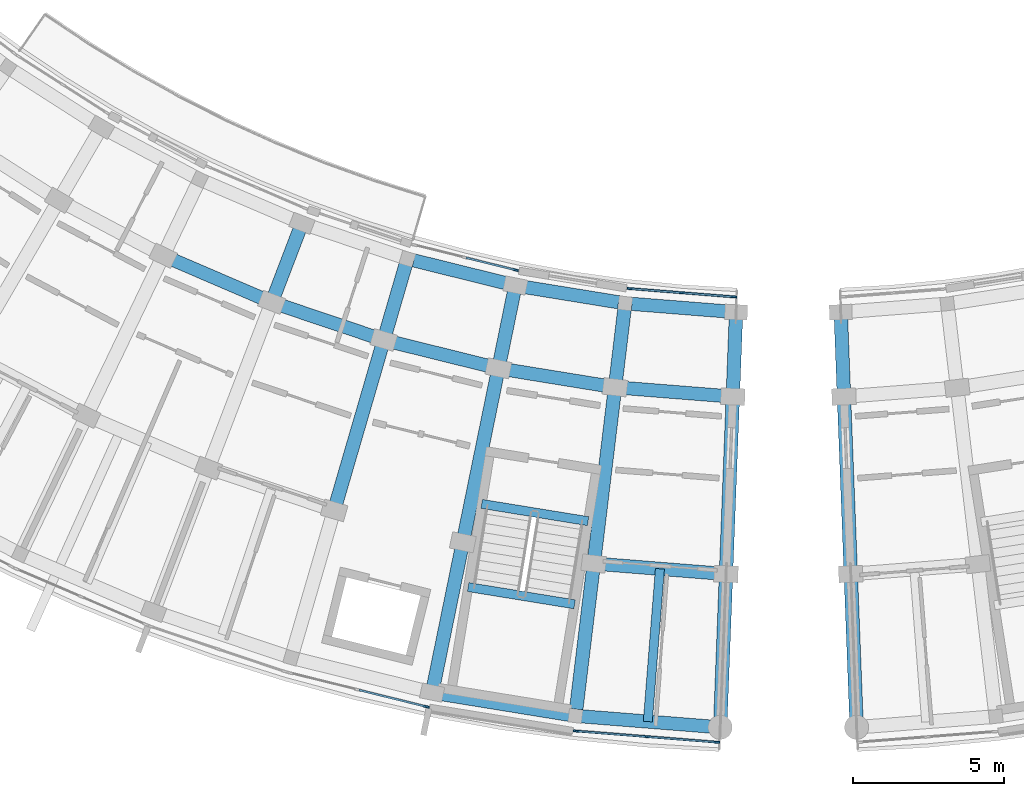
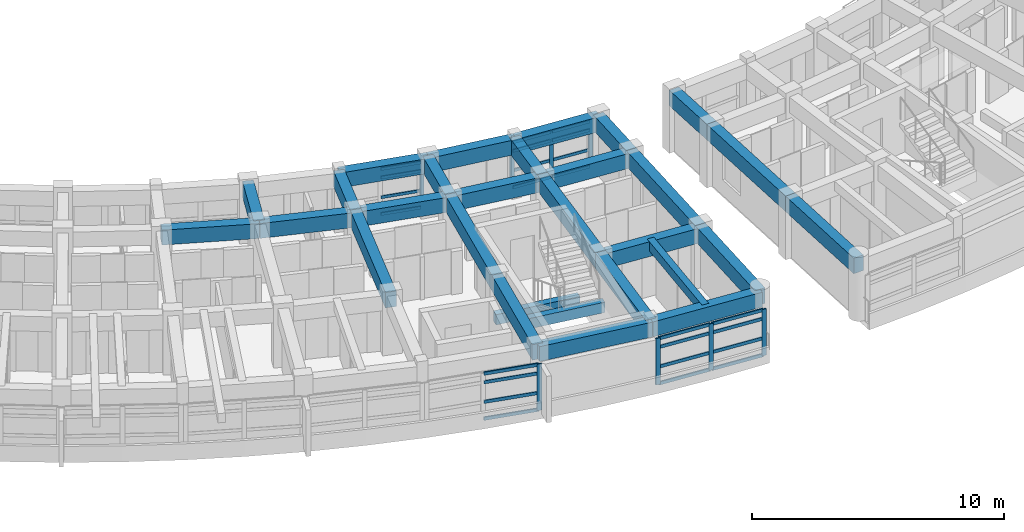
# One storey, part 12 of 56: 32 members, 29 beams, 4 elements without a shape of their own.
"""IFC4 building model written with IfcOpenShell, lengths in metres."""

from ifc_helpers import new_model, si_unit, direction, frame, origin, origin_2d, place, context, subcontext, project, spatial, rectangle, extrude, material, material_profile, profile_set, type_object, element, aggregate, save


model = new_model("IFC4")

# Units and contexts
model_context = context("Model", 3, precision=1e-05, world=origin(), true_north=direction((0.0, 1.0)))
body_context = subcontext(model_context, "Body", "Model", "MODEL_VIEW")
ifc_project = project(units=[si_unit("LENGTHUNIT", "METRE"), si_unit("AREAUNIT", "SQUARE_METRE"), si_unit("VOLUMEUNIT", "CUBIC_METRE"), si_unit("PLANEANGLEUNIT", "RADIAN"), si_unit("MASSUNIT", "GRAM", prefix="KILO")], contexts=[model_context])

# Site, building, storey
site_placement = place(None, origin())
site = spatial("IfcSite", under=ifc_project, at=site_placement, CompositionType="ELEMENT")
building_placement = place(site_placement, origin())
building = spatial("IfcBuilding", under=site, at=building_placement, Name="Zimvara Arc Housing Community", CompositionType="ELEMENT")
storey_placement = place(building_placement, frame((0.0, 0.0, 11.199951171875)))
storey = spatial("IfcBuildingStorey", under=building, at=storey_placement, Name="L03", CompositionType="ELEMENT", Elevation=11.199951171875)

# Beams
ifc_material_1 = material(Name="Concrete C40/50", Category="concrete")
ifc_material_profile_1 = material_profile(ifc_material_1, rectangle(XDim=0.300048828125, YDim=0.449951171875, at=origin_2d()), Name="RC 300x450")
ifc_profile_set_1 = profile_set([ifc_material_profile_1], Name="Concrete C40/50")
beam_type_1 = type_object("IfcBeamType", Name="BM-RC-300x450", PredefinedType="JOIST", material=ifc_profile_set_1)
beam_1_placement = place(storey_placement, frame((121.72509765625, 56.2734375, 2.635009765625), z_axis=(-0.079171686291, -0.99686099537, 0.0), x_axis=(0.99686099537, -0.079171686291, 0.0)))
element("IfcBeam", 1, at=beam_1_placement, inside=storey, type_object=beam_type_1, Name="bm:blkC:L03:joist:b9", PredefinedType="JOIST", context=body_context, shape_type="SweptSolid", body=[
    extrude(rectangle(XDim=0.300048828125, YDim=0.449951171875, at=origin_2d()), origin(), (0.0, 0.0, 1.0), 5.07568359375),
])
ifc_material_2 = material(Name="Concrete C40/50", Category="concrete")
ifc_material_profile_2 = material_profile(ifc_material_2, rectangle(XDim=0.300048828125, YDim=0.5, at=origin_2d()), Name="RC 300x500")
ifc_profile_set_2 = profile_set([ifc_material_profile_2], Name="Concrete C40/50")
beam_type_2 = type_object("IfcBeamType", Name="BM-RC-300x500", PredefinedType="BEAM", material=ifc_profile_set_2)
for number, where, z_axis, x_axis, name in (
    (2, (115.822265625, 58.423095703125, -0.25), (0.987080057935, -0.160227835371, 0.0), (0.160227835371, 0.987080057935, 0.0), "bm:stair_trim:ST-C2:L03:near"),
    (3, (115.375244140625, 55.6689453125, 1.300048828125), (0.987080057935, -0.160227835371, 0.0), (0.160227835371, 0.987080057935, 0.0), "bm:stair_trim:ST-C2:L03:mid"),
):
    element("IfcBeam", number, at=place(storey_placement, frame(where, z_axis=z_axis, x_axis=x_axis)), inside=storey, type_object=beam_type_2, Name=name, PredefinedType="BEAM", context=body_context, shape_type="SweptSolid", body=[
        extrude(rectangle(XDim=0.300048828125, YDim=0.5, at=origin_2d()), origin(), (0.0, 0.0, 1.0), 3.570068359375),
    ])
ifc_material_3 = material(Name="Concrete C40/50", Category="concrete")
ifc_material_profile_3 = material_profile(ifc_material_3, rectangle(XDim=0.43994140625, YDim=0.719970703125, at=origin_2d()), Name="RC 440x720")
ifc_profile_set_3 = profile_set([ifc_material_profile_3], Name="Concrete C40/50")
beam_type_3 = type_object("IfcBeamType", Name="BM-RC-440x720", PredefinedType="BEAM", material=ifc_profile_set_3)
beam_2_placement = place(storey_placement, frame((113.361572265625, 66.540283203125, 2.5), z_axis=(0.970724337693, -0.240196295163, 0.0), x_axis=(0.240196295163, 0.970724337693, 0.0)))
element("IfcBeam", 4, at=beam_2_placement, inside=storey, type_object=beam_type_3, Name="bm:blkC:L03:chord:r0:b7", PredefinedType="BEAM", context=body_context, shape_type="SweptSolid", body=[
    extrude(rectangle(XDim=0.43994140625, YDim=0.719970703125, at=origin_2d()), origin(), (0.0, 0.0, 1.0), 3.6845703125),
])
beam_3_placement = place(storey_placement, frame((116.938232421875, 65.6552734375, 2.5), z_axis=(0.987079996944, -0.160228211104, 0.0), x_axis=(0.160228211104, 0.987079996944, 0.0)))
element("IfcBeam", 5, at=beam_3_placement, inside=storey, type_object=beam_type_3, Name="bm:blkC:L03:chord:r0:b8", PredefinedType="BEAM", context=body_context, shape_type="SweptSolid", body=[
    extrude(rectangle(XDim=0.43994140625, YDim=0.719970703125, at=origin_2d()), origin(), (0.0, 0.0, 1.0), 3.684326171875),
])
beam_4_placement = place(storey_placement, frame((120.574951171875, 65.06494140625, 2.5), z_axis=(0.996860413745, -0.079179009267, 0.0), x_axis=(0.079179009267, 0.996860413745, 0.0)))
element("IfcBeam", 6, at=beam_4_placement, inside=storey, type_object=beam_type_3, Name="bm:blkC:L03:chord:r0:b9", PredefinedType="BEAM", context=body_context, shape_type="SweptSolid", body=[
    extrude(rectangle(XDim=0.43994140625, YDim=0.719970703125, at=origin_2d()), origin(), (0.0, 0.0, 1.0), 3.6845703125),
])
for number, where, z_axis, x_axis, name in (
    (7, (105.2744140625, 66.644287109375, 2.5), (0.918708805961, -0.394935602155, 0.0), (0.394935602155, 0.918708805961, 0.0), "bm:blkC:L03:chord:r1:b5"),
    (8, (108.869384765625, 65.098876953125, 2.5), (0.947881689069, -0.31862250945, 0.0), (0.31862250945, 0.947881689069, 0.0), "bm:blkC:L03:chord:r1:b6"),
    (9, (112.57861328125, 63.85205078125, 2.5), (0.970723220586, -0.240200809773, 0.0), (0.240200809773, 0.970723220586, 0.0), "bm:blkC:L03:chord:r1:b7"),
    (10, (116.377197265625, 62.912109375, 2.5), (0.987081487371, -0.160219029111, 0.0), (0.160219029111, 0.987081487371, 0.0), "bm:blkC:L03:chord:r1:b8"),
):
    element("IfcBeam", number, at=place(storey_placement, frame(where, z_axis=z_axis, x_axis=x_axis)), inside=storey, type_object=beam_type_3, Name=name, PredefinedType="BEAM", context=body_context, shape_type="SweptSolid", body=[
        extrude(rectangle(XDim=0.43994140625, YDim=0.719970703125, at=origin_2d()), origin(), (0.0, 0.0, 1.0), 3.9130859375),
    ])
beam_5_placement = place(storey_placement, frame((120.23974609375, 62.28515625, 2.5), z_axis=(0.99686054795, -0.079177319606, 0.0), x_axis=(0.079177319606, 0.99686054795, 0.0)))
element("IfcBeam", 11, at=beam_5_placement, inside=storey, type_object=beam_type_3, Name="bm:blkC:L03:chord:r1:b9", PredefinedType="BEAM", context=body_context, shape_type="SweptSolid", body=[
    extrude(rectangle(XDim=0.43994140625, YDim=0.719970703125, at=origin_2d()), origin(), (0.0, 0.0, 1.0), 3.912841796875),
])
beam_6_placement = place(storey_placement, frame((119.535400390625, 56.447509765625, 2.5), z_axis=(0.996859476344, -0.079190810224, 0.0), x_axis=(0.079190810224, 0.996859476344, 0.0)))
element("IfcBeam", 12, at=beam_6_placement, inside=storey, type_object=beam_type_3, Name="bm:blkC:L03:chord:r2:b9", PredefinedType="BEAM", context=body_context, shape_type="SweptSolid", body=[
    extrude(rectangle(XDim=0.43994140625, YDim=0.719970703125, at=origin_2d()), origin(), (0.0, 0.0, 1.0), 4.393310546875),
])
beam_7_placement = place(storey_placement, frame((114.180908203125, 52.17431640625, 2.5), z_axis=(0.987083566885, -0.160206217065, 0.0), x_axis=(0.160206217065, 0.987083566885, 0.0)))
element("IfcBeam", 13, at=beam_7_placement, inside=storey, type_object=beam_type_3, Name="bm:blkC:L03:chord:r3:b8", PredefinedType="BEAM", context=body_context, shape_type="SweptSolid", body=[
    extrude(rectangle(XDim=0.43994140625, YDim=0.719970703125, at=origin_2d()), origin(), (0.0, 0.0, 1.0), 4.807861328125),
])
beam_8_placement = place(storey_placement, frame((118.9267578125, 51.404052734375, 2.5), z_axis=(0.996861768207, -0.0791619548, 0.0), x_axis=(0.0791619548, 0.996861768207, 0.0)))
element("IfcBeam", 14, at=beam_8_placement, inside=storey, type_object=beam_type_3, Name="bm:blkC:L03:chord:r3:b9", PredefinedType="BEAM", context=body_context, shape_type="SweptSolid", body=[
    extrude(rectangle(XDim=0.43994140625, YDim=0.719970703125, at=origin_2d()), origin(), (0.0, 0.0, 1.0), 4.80810546875),
])
ifc_material_4 = material(Name="Concrete C40/50", Category="concrete")
ifc_material_profile_4 = material_profile(ifc_material_4, rectangle(XDim=0.449951171875, YDim=0.75, at=origin_2d()), Name="RC 450x750")
ifc_profile_set_4 = profile_set([ifc_material_profile_4], Name="Concrete C40/50")
beam_type_4 = type_object("IfcBeamType", Name="BM-RC-450x750", PredefinedType="BEAM", material=ifc_profile_set_4)
for number, where, z_axis, x_axis, name in (
    (15, (109.869384765625, 67.71435546875, 2.485107421875), (-0.357126279724, -0.934056111982, 0.0), (0.934056111982, -0.357126279724, 0.0), "bm:blkC:L03:rad:b6:r01"),
    (16, (113.361572265625, 66.540283203125, 2.485107421875), (-0.279635015525, -0.960106378529, 0.0), (0.960106378529, -0.279635015525, 0.0), "bm:blkC:L03:rad:b7:r01"),
):
    element("IfcBeam", number, at=place(storey_placement, frame(where, z_axis=z_axis, x_axis=x_axis)), inside=storey, type_object=beam_type_4, Name=name, PredefinedType="BEAM", context=body_context, shape_type="SweptSolid", body=[
        extrude(rectangle(XDim=0.449951171875, YDim=0.75, at=origin_2d()), origin(), (0.0, 0.0, 1.0), 2.800048828125),
    ])
beam_9_placement = place(storey_placement, frame((112.57861328125, 63.85205078125, 2.485107421875), z_axis=(-0.27964761269, -0.960102709462, 0.0), x_axis=(0.960102709462, -0.27964761269, 0.0)))
element("IfcBeam", 17, at=beam_9_placement, inside=storey, type_object=beam_type_4, Name="bm:blkC:L03:rad:b7:r12", PredefinedType="BEAM", context=body_context, shape_type="SweptSolid", body=[
    extrude(rectangle(XDim=0.449951171875, YDim=0.75, at=origin_2d()), origin(), (0.0, 0.0, 1.0), 5.8798828125),
])
beam_10_placement = place(storey_placement, frame((116.938232421875, 65.6552734375, 2.485107421875), z_axis=(-0.20037341071, -0.979719600845, 0.0), x_axis=(0.979719600845, -0.20037341071, 0.0)))
element("IfcBeam", 18, at=beam_10_placement, inside=storey, type_object=beam_type_4, Name="bm:blkC:L03:rad:b8:r01", PredefinedType="BEAM", context=body_context, shape_type="SweptSolid", body=[
    extrude(rectangle(XDim=0.449951171875, YDim=0.75, at=origin_2d()), origin(), (0.0, 0.0, 1.0), 2.800048828125),
])
beam_11_placement = place(storey_placement, frame((116.377197265625, 62.912109375, 2.485107421875), z_axis=(-0.200417973989, -0.979710485655, 0.0), x_axis=(0.979710485655, -0.200417973989, 0.0)))
element("IfcBeam", 19, at=beam_11_placement, inside=storey, type_object=beam_type_4, Name="bm:blkC:L03:rad:b8:r12", PredefinedType="BEAM", context=body_context, shape_type="SweptSolid", body=[
    extrude(rectangle(XDim=0.449951171875, YDim=0.75, at=origin_2d()), origin(), (0.0, 0.0, 1.0), 5.880126953125),
])
beam_12_placement = place(storey_placement, frame((115.19873046875, 57.1513671875, 2.485107421875), z_axis=(-0.200356397601, -0.979723080233, 0.0), x_axis=(0.979723080233, -0.200356397601, 0.0)))
element("IfcBeam", 20, at=beam_12_placement, inside=storey, type_object=beam_type_4, Name="bm:blkC:L03:rad:b8:r23", PredefinedType="BEAM", context=body_context, shape_type="SweptSolid", body=[
    extrude(rectangle(XDim=0.449951171875, YDim=0.75, at=origin_2d()), origin(), (0.0, 0.0, 1.0), 5.080078125),
])
beam_13_placement = place(storey_placement, frame((120.574951171875, 65.06494140625, 2.485107421875), z_axis=(-0.119719398078, -0.992807768767, 0.0), x_axis=(0.992807768767, -0.119719398078, 0.0)))
element("IfcBeam", 21, at=beam_13_placement, inside=storey, type_object=beam_type_4, Name="bm:blkC:L03:rad:b9:r01", PredefinedType="BEAM", context=body_context, shape_type="SweptSolid", body=[
    extrude(rectangle(XDim=0.449951171875, YDim=0.75, at=origin_2d()), origin(), (0.0, 0.0, 1.0), 2.7998046875),
])
beam_14_placement = place(storey_placement, frame((120.23974609375, 62.28515625, 2.485107421875), z_axis=(-0.119786997154, -0.992799614884, 0.0), x_axis=(0.992799614884, -0.119786997154, 0.0)))
element("IfcBeam", 22, at=beam_14_placement, inside=storey, type_object=beam_type_4, Name="bm:blkC:L03:rad:b9:r12", PredefinedType="BEAM", context=body_context, shape_type="SweptSolid", body=[
    extrude(rectangle(XDim=0.449951171875, YDim=0.75, at=origin_2d()), origin(), (0.0, 0.0, 1.0), 5.8798828125),
])
beam_15_placement = place(storey_placement, frame((119.535400390625, 56.447509765625, 2.485107421875), z_axis=(-0.119810359757, -0.992796795772, 0.0), x_axis=(0.992796795772, -0.119810359757, 0.0)))
element("IfcBeam", 23, at=beam_15_placement, inside=storey, type_object=beam_type_4, Name="bm:blkC:L03:rad:b9:r23", PredefinedType="BEAM", context=body_context, shape_type="SweptSolid", body=[
    extrude(rectangle(XDim=0.449951171875, YDim=0.75, at=origin_2d()), origin(), (0.0, 0.0, 1.0), 5.080078125),
])
beam_16_placement = place(storey_placement, frame((124.248046875, 64.773193359375, 2.485107421875), z_axis=(-0.038453214409, -0.999260401648, 0.0), x_axis=(0.999260401648, -0.038453214409, 0.0)))
element("IfcBeam", 24, at=beam_16_placement, inside=storey, type_object=beam_type_4, Name="bm:blkC:L03:rad:b10:r01", PredefinedType="BEAM", context=body_context, shape_type="SweptSolid", body=[
    extrude(rectangle(XDim=0.449951171875, YDim=0.75, at=origin_2d()), origin(), (0.0, 0.0, 1.0), 2.7998046875),
])
beam_17_placement = place(storey_placement, frame((124.140380859375, 61.975341796875, 2.485107421875), z_axis=(-0.038364555613, -0.999263809448, 0.0), x_axis=(0.999263809448, -0.038364555613, 0.0)))
element("IfcBeam", 25, at=beam_17_placement, inside=storey, type_object=beam_type_4, Name="bm:blkC:L03:rad:b10:r12", PredefinedType="BEAM", context=body_context, shape_type="SweptSolid", body=[
    extrude(rectangle(XDim=0.449951171875, YDim=0.75, at=origin_2d()), origin(), (0.0, 0.0, 1.0), 5.880126953125),
])
beam_18_placement = place(storey_placement, frame((123.914794921875, 56.099609375, 2.485107421875), z_axis=(-0.038399898954, -0.999262451892, 0.0), x_axis=(0.999262451892, -0.038399898954, 0.0)))
element("IfcBeam", 26, at=beam_18_placement, inside=storey, type_object=beam_type_4, Name="bm:blkC:L03:rad:b10:r23", PredefinedType="BEAM", context=body_context, shape_type="SweptSolid", body=[
    extrude(rectangle(XDim=0.449951171875, YDim=0.75, at=origin_2d()), origin(), (0.0, 0.0, 1.0), 5.079833984375),
])
beam_19_placement = place(storey_placement, frame((127.712158203125, 64.773193359375, 2.485107421875), z_axis=(0.038366147405, -0.999263748333, 0.0), x_axis=(0.999263748333, 0.038366147405, 0.0)))
element("IfcBeam", 27, at=beam_19_placement, inside=storey, type_object=beam_type_4, Name="bm:blkD:L03:rad:b0:r01", PredefinedType="BEAM", context=body_context, shape_type="SweptSolid", body=[
    extrude(rectangle(XDim=0.449951171875, YDim=0.75, at=origin_2d()), origin(), (0.0, 0.0, 1.0), 2.7998046875),
])
beam_20_placement = place(storey_placement, frame((127.819580078125, 61.975341796875, 2.485107421875), z_axis=(0.038364555613, -0.999263809448, 0.0), x_axis=(0.999263809448, 0.038364555613, 0.0)))
element("IfcBeam", 28, at=beam_20_placement, inside=storey, type_object=beam_type_4, Name="bm:blkD:L03:rad:b0:r12", PredefinedType="BEAM", context=body_context, shape_type="SweptSolid", body=[
    extrude(rectangle(XDim=0.449951171875, YDim=0.75, at=origin_2d()), origin(), (0.0, 0.0, 1.0), 5.880126953125),
])
beam_21_placement = place(storey_placement, frame((128.045166015625, 56.099609375, 2.485107421875), z_axis=(0.038399898954, -0.999262451892, 0.0), x_axis=(0.999262451892, 0.038399898954, 0.0)))
element("IfcBeam", 29, at=beam_21_placement, inside=storey, type_object=beam_type_4, Name="bm:blkD:L03:rad:b0:r23", PredefinedType="BEAM", context=body_context, shape_type="SweptSolid", body=[
    extrude(rectangle(XDim=0.449951171875, YDim=0.75, at=origin_2d()), origin(), (0.0, 0.0, 1.0), 5.079833984375),
])

# Curtain wall, member
ifc_material_5 = material(Name="Anodised Aluminium AW-6063", Category="aluminium")
curtain_wall_type_1 = type_object("IfcCurtainWallType", Name="CW-SYS-06", PredefinedType="USERDEFINED", material=ifc_material_5)
curtain_wall_1_placement = place(storey_placement, origin())
curtain_wall_1 = element("IfcCurtainWall", 30, at=curtain_wall_1_placement, inside=storey, type_object=curtain_wall_type_1, Name="cw:blkC:L03:in:b7", ObjectType="CURTAIN WALL", PredefinedType="USERDEFINED")
ifc_material_6 = material(Name="Anodised Aluminium AW-6063", Category="aluminium")
ifc_material_profile_5 = material_profile(ifc_material_6, rectangle(XDim=0.06494140625, YDim=0.179931640625, at=origin_2d()), Name="ALU 65x180")
ifc_profile_set_5 = profile_set([ifc_material_profile_5], Name="Anodised Aluminium AW-6063")
member_type_1 = type_object("IfcMemberType", Name="CWM-65x150", PredefinedType="MULLION", material=ifc_profile_set_5)
member_1_placement = place(storey_placement, frame((116.94873046875, 66.167236328125, 0.0), z_axis=(0.0, 0.0, 1.0), x_axis=(0.240227815706, 0.970716537698, 0.0)))
member_1 = element("IfcMember", 31, at=member_1_placement, type_object=member_type_1, Name="CW06 mullion 3", PredefinedType="MULLION", context=body_context, shape_type="SweptSolid", body=[
    extrude(rectangle(XDim=0.06494140625, YDim=0.179931640625, at=origin_2d()), origin(), (0.0, 0.0, 1.0), 2.25),
])

# Curtain wall, members
ifc_material_7 = material(Name="Anodised Aluminium AW-6063", Category="aluminium")
curtain_wall_type_2 = type_object("IfcCurtainWallType", Name="CW-SYS-08", PredefinedType="USERDEFINED", material=ifc_material_7)
curtain_wall_2_placement = place(storey_placement, origin())
curtain_wall_2 = element("IfcCurtainWall", 32, at=curtain_wall_2_placement, inside=storey, type_object=curtain_wall_type_2, Name="cw:blkC:L03:in:b9", ObjectType="CURTAIN WALL", PredefinedType="USERDEFINED")
member_2_placement = place(storey_placement, frame((120.72705078125, 65.553955078125, 0.0), z_axis=(0.0, 0.0, 1.0), x_axis=(0.079154709897, 0.996862343506, 0.0)))
member_2 = element("IfcMember", 33, at=member_2_placement, type_object=member_type_1, Name="CW08 mullion 1", PredefinedType="MULLION", context=body_context, shape_type="SweptSolid", body=[
    extrude(rectangle(XDim=0.06494140625, YDim=0.179931640625, at=origin_2d()), origin(), (0.0, 0.0, 1.0), 2.25),
])
member_3_placement = place(storey_placement, frame((122.450927734375, 65.4169921875, 0.0), z_axis=(0.0, 0.0, 1.0), x_axis=(0.079154709897, 0.996862343506, 0.0)))
member_3 = element("IfcMember", 34, at=member_3_placement, type_object=member_type_1, Name="CW08 mullion 2", PredefinedType="MULLION", context=body_context, shape_type="SweptSolid", body=[
    extrude(rectangle(XDim=0.06494140625, YDim=0.179931640625, at=origin_2d()), origin(), (0.0, 0.0, 1.0), 2.25),
])
member_4_placement = place(storey_placement, frame((124.1748046875, 65.2802734375, 0.0), z_axis=(0.0, 0.0, 1.0), x_axis=(0.079154709897, 0.996862343506, 0.0)))
member_4 = element("IfcMember", 35, at=member_4_placement, type_object=member_type_1, Name="CW08 mullion 3", PredefinedType="MULLION", context=body_context, shape_type="SweptSolid", body=[
    extrude(rectangle(XDim=0.06494140625, YDim=0.179931640625, at=origin_2d()), origin(), (0.0, 0.0, 1.0), 2.25),
])

# Curtain wall, member
ifc_material_8 = material(Name="Anodised Aluminium AW-6063", Category="aluminium")
curtain_wall_type_3 = type_object("IfcCurtainWallType", Name="CW-SYS-05", PredefinedType="USERDEFINED", material=ifc_material_8)
curtain_wall_3_placement = place(storey_placement, origin())
curtain_wall_3 = element("IfcCurtainWall", 36, at=curtain_wall_3_placement, inside=storey, type_object=curtain_wall_type_3, Name="cw:blkC:L03:out:b7", ObjectType="CURTAIN WALL", PredefinedType="USERDEFINED")
ifc_material_9 = material(Name="Anodised Aluminium AW-6063", Category="aluminium")
ifc_material_profile_6 = material_profile(ifc_material_9, rectangle(XDim=0.06494140625, YDim=0.195068359375, at=origin_2d()), Name="ALU 65x195")
ifc_profile_set_6 = profile_set([ifc_material_profile_6], Name="Anodised Aluminium AW-6063")
member_type_2 = type_object("IfcMemberType", Name="CWM-65x180", PredefinedType="MULLION", material=ifc_profile_set_6)
member_5_placement = place(storey_placement, frame((113.99072265625, 51.706787109375, 0.0), z_axis=(0.0, 0.0, 1.0), x_axis=(0.240229711131, 0.970716068627, 0.0)))
member_5 = element("IfcMember", 37, at=member_5_placement, type_object=member_type_2, Name="CW05 mullion 3", PredefinedType="MULLION", context=body_context, shape_type="SweptSolid", body=[
    extrude(rectangle(XDim=0.06494140625, YDim=0.195068359375, at=origin_2d()), origin(), (0.0, 0.0, 1.0), 2.25),
])

# Curtain wall, members
ifc_material_10 = material(Name="Anodised Aluminium AW-6063", Category="aluminium")
curtain_wall_type_4 = type_object("IfcCurtainWallType", Name="CW-SYS-07", PredefinedType="USERDEFINED", material=ifc_material_10)
curtain_wall_4_placement = place(storey_placement, origin())
curtain_wall_4 = element("IfcCurtainWall", 38, at=curtain_wall_4_placement, inside=storey, type_object=curtain_wall_type_4, Name="cw:blkC:L03:out:b9", ObjectType="CURTAIN WALL", PredefinedType="USERDEFINED")
member_6_placement = place(storey_placement, frame((118.958984375, 50.900146484375, 0.0), z_axis=(0.0, 0.0, 1.0), x_axis=(0.079153759607, 0.996862418963, 0.0)))
member_6 = element("IfcMember", 39, at=member_6_placement, type_object=member_type_2, Name="CW07 mullion 1", PredefinedType="MULLION", context=body_context, shape_type="SweptSolid", body=[
    extrude(rectangle(XDim=0.06494140625, YDim=0.195068359375, at=origin_2d()), origin(), (0.0, 0.0, 1.0), 2.25),
])
member_7_placement = place(storey_placement, frame((121.28369140625, 50.715576171875, 0.0), z_axis=(0.0, 0.0, 1.0), x_axis=(0.079153759607, 0.996862418963, 0.0)))
member_7 = element("IfcMember", 40, at=member_7_placement, type_object=member_type_2, Name="CW07 mullion 2", PredefinedType="MULLION", context=body_context, shape_type="SweptSolid", body=[
    extrude(rectangle(XDim=0.06494140625, YDim=0.195068359375, at=origin_2d()), origin(), (0.0, 0.0, 1.0), 2.25),
])
member_8_placement = place(storey_placement, frame((123.6083984375, 50.531005859375, 0.0), z_axis=(0.0, 0.0, 1.0), x_axis=(0.079153759607, 0.996862418963, 0.0)))
member_8 = element("IfcMember", 41, at=member_8_placement, type_object=member_type_2, Name="CW07 mullion 3", PredefinedType="MULLION", context=body_context, shape_type="SweptSolid", body=[
    extrude(rectangle(XDim=0.06494140625, YDim=0.195068359375, at=origin_2d()), origin(), (0.0, 0.0, 1.0), 2.25),
])

# Member
ifc_material_11 = material(Name="Anodised Aluminium AW-6063", Category="aluminium")
ifc_material_profile_7 = material_profile(ifc_material_11, rectangle(XDim=0.06494140625, YDim=0.139892578125, at=origin_2d()), Name="ALU 65x140")
ifc_profile_set_7 = profile_set([ifc_material_profile_7], Name="Anodised Aluminium AW-6063")
member_type_3 = type_object("IfcMemberType", Name="CWT-65x120", PredefinedType="USERDEFINED", material=ifc_profile_set_7)
member_9_placement = place(storey_placement, frame((115.301513671875, 66.574951171875, 0.032470703125), z_axis=(0.970700809973, -0.24029135964, 0.0), x_axis=(0.24029135964, 0.970700809973, 0.0)))
member_9 = element("IfcMember", 42, at=member_9_placement, type_object=member_type_3, Name="CW06 transom 2.1", ObjectType="TRANSOM", PredefinedType="USERDEFINED", context=body_context, shape_type="SweptSolid", body=[
    extrude(rectangle(XDim=0.06494140625, YDim=0.139892578125, at=origin_2d()), origin(), (0.0, 0.0, 1.0), 1.664306640625),
])

member_10_placement = place(storey_placement, frame((115.301513671875, 66.574951171875, 0.85009765625), z_axis=(0.970700809973, -0.24029135964, 0.0), x_axis=(0.24029135964, 0.970700809973, 0.0)))
member_10 = element("IfcMember", 43, at=member_10_placement, type_object=member_type_3, Name="CW06 transom 2.2", ObjectType="TRANSOM", PredefinedType="USERDEFINED", context=body_context, shape_type="SweptSolid", body=[
    extrude(rectangle(XDim=0.06494140625, YDim=0.139892578125, at=origin_2d()), origin(), (0.0, 0.0, 1.0), 1.664306640625),
])

member_11_placement = place(storey_placement, frame((115.301513671875, 66.574951171875, 1.800048828125), z_axis=(0.970700809973, -0.24029135964, 0.0), x_axis=(0.24029135964, 0.970700809973, 0.0)))
member_11 = element("IfcMember", 44, at=member_11_placement, type_object=member_type_3, Name="CW06 transom 2.3", ObjectType="TRANSOM", PredefinedType="USERDEFINED", context=body_context, shape_type="SweptSolid", body=[
    extrude(rectangle(XDim=0.06494140625, YDim=0.139892578125, at=origin_2d()), origin(), (0.0, 0.0, 1.0), 1.664306640625),
])

member_12_placement = place(storey_placement, frame((115.301513671875, 66.574951171875, 2.217529296875), z_axis=(0.970700809973, -0.24029135964, 0.0), x_axis=(0.24029135964, 0.970700809973, 0.0)))
member_12 = element("IfcMember", 45, at=member_12_placement, type_object=member_type_3, Name="CW06 transom 2.4", ObjectType="TRANSOM", PredefinedType="USERDEFINED", context=body_context, shape_type="SweptSolid", body=[
    extrude(rectangle(XDim=0.06494140625, YDim=0.139892578125, at=origin_2d()), origin(), (0.0, 0.0, 1.0), 1.664306640625),
])

aggregate(curtain_wall_1, [member_1, member_9, member_10, member_11, member_12])

member_13_placement = place(storey_placement, frame((120.759521484375, 65.551513671875, 0.032470703125), z_axis=(0.99685804311, -0.079208849806, 0.0), x_axis=(0.079208849806, 0.99685804311, 0.0)))
member_13 = element("IfcMember", 46, at=member_13_placement, type_object=member_type_3, Name="CW08 transom 1.1", ObjectType="TRANSOM", PredefinedType="USERDEFINED", context=body_context, shape_type="SweptSolid", body=[
    extrude(rectangle(XDim=0.06494140625, YDim=0.139892578125, at=origin_2d()), origin(), (0.0, 0.0, 1.0), 1.664306640625),
])

member_14_placement = place(storey_placement, frame((120.759521484375, 65.551513671875, 0.85009765625), z_axis=(0.99685804311, -0.079208849806, 0.0), x_axis=(0.079208849806, 0.99685804311, 0.0)))
member_14 = element("IfcMember", 47, at=member_14_placement, type_object=member_type_3, Name="CW08 transom 1.2", ObjectType="TRANSOM", PredefinedType="USERDEFINED", context=body_context, shape_type="SweptSolid", body=[
    extrude(rectangle(XDim=0.06494140625, YDim=0.139892578125, at=origin_2d()), origin(), (0.0, 0.0, 1.0), 1.664306640625),
])

member_15_placement = place(storey_placement, frame((120.759521484375, 65.551513671875, 1.800048828125), z_axis=(0.99685804311, -0.079208849806, 0.0), x_axis=(0.079208849806, 0.99685804311, 0.0)))
member_15 = element("IfcMember", 48, at=member_15_placement, type_object=member_type_3, Name="CW08 transom 1.3", ObjectType="TRANSOM", PredefinedType="USERDEFINED", context=body_context, shape_type="SweptSolid", body=[
    extrude(rectangle(XDim=0.06494140625, YDim=0.139892578125, at=origin_2d()), origin(), (0.0, 0.0, 1.0), 1.664306640625),
])

member_16_placement = place(storey_placement, frame((120.759521484375, 65.551513671875, 2.217529296875), z_axis=(0.99685804311, -0.079208849806, 0.0), x_axis=(0.079208849806, 0.99685804311, 0.0)))
member_16 = element("IfcMember", 49, at=member_16_placement, type_object=member_type_3, Name="CW08 transom 1.4", ObjectType="TRANSOM", PredefinedType="USERDEFINED", context=body_context, shape_type="SweptSolid", body=[
    extrude(rectangle(XDim=0.06494140625, YDim=0.139892578125, at=origin_2d()), origin(), (0.0, 0.0, 1.0), 1.664306640625),
])

member_17_placement = place(storey_placement, frame((122.4833984375, 65.41455078125, 0.032470703125), z_axis=(0.99685804311, -0.079208849806, 0.0), x_axis=(0.079208849806, 0.99685804311, 0.0)))
member_17 = element("IfcMember", 50, at=member_17_placement, type_object=member_type_3, Name="CW08 transom 2.1", ObjectType="TRANSOM", PredefinedType="USERDEFINED", context=body_context, shape_type="SweptSolid", body=[
    extrude(rectangle(XDim=0.06494140625, YDim=0.139892578125, at=origin_2d()), origin(), (0.0, 0.0, 1.0), 1.664306640625),
])

member_18_placement = place(storey_placement, frame((122.4833984375, 65.41455078125, 0.85009765625), z_axis=(0.99685804311, -0.079208849806, 0.0), x_axis=(0.079208849806, 0.99685804311, 0.0)))
member_18 = element("IfcMember", 51, at=member_18_placement, type_object=member_type_3, Name="CW08 transom 2.2", ObjectType="TRANSOM", PredefinedType="USERDEFINED", context=body_context, shape_type="SweptSolid", body=[
    extrude(rectangle(XDim=0.06494140625, YDim=0.139892578125, at=origin_2d()), origin(), (0.0, 0.0, 1.0), 1.664306640625),
])

member_19_placement = place(storey_placement, frame((122.4833984375, 65.41455078125, 1.800048828125), z_axis=(0.99685804311, -0.079208849806, 0.0), x_axis=(0.079208849806, 0.99685804311, 0.0)))
member_19 = element("IfcMember", 52, at=member_19_placement, type_object=member_type_3, Name="CW08 transom 2.3", ObjectType="TRANSOM", PredefinedType="USERDEFINED", context=body_context, shape_type="SweptSolid", body=[
    extrude(rectangle(XDim=0.06494140625, YDim=0.139892578125, at=origin_2d()), origin(), (0.0, 0.0, 1.0), 1.664306640625),
])

member_20_placement = place(storey_placement, frame((122.4833984375, 65.41455078125, 2.217529296875), z_axis=(0.99685804311, -0.079208849806, 0.0), x_axis=(0.079208849806, 0.99685804311, 0.0)))
member_20 = element("IfcMember", 53, at=member_20_placement, type_object=member_type_3, Name="CW08 transom 2.4", ObjectType="TRANSOM", PredefinedType="USERDEFINED", context=body_context, shape_type="SweptSolid", body=[
    extrude(rectangle(XDim=0.06494140625, YDim=0.139892578125, at=origin_2d()), origin(), (0.0, 0.0, 1.0), 1.664306640625),
])

aggregate(curtain_wall_2, [member_2, member_3, member_4, member_13, member_14, member_15, member_16, member_17, member_18, member_19, member_20])

ifc_material_12 = material(Name="Anodised Aluminium AW-6063", Category="aluminium")
ifc_material_profile_8 = material_profile(ifc_material_12, rectangle(XDim=0.06494140625, YDim=0.155029296875, at=origin_2d()), Name="ALU 65x155")
ifc_profile_set_8 = profile_set([ifc_material_profile_8], Name="Anodised Aluminium AW-6063")
member_type_4 = type_object("IfcMemberType", Name="CWT-65x140", PredefinedType="USERDEFINED", material=ifc_profile_set_8)
member_21_placement = place(storey_placement, frame((111.7587890625, 52.259033203125, 0.032470703125), z_axis=(0.970728837212, -0.240178110172, 0.0), x_axis=(0.240178110172, 0.970728837212, 0.0)))
member_21 = element("IfcMember", 54, at=member_21_placement, type_object=member_type_4, Name="CW05 transom 2.1", ObjectType="TRANSOM", PredefinedType="USERDEFINED", context=body_context, shape_type="SweptSolid", body=[
    extrude(rectangle(XDim=0.06494140625, YDim=0.155029296875, at=origin_2d()), origin(), (0.0, 0.0, 1.0), 2.266845703125),
])

member_22_placement = place(storey_placement, frame((111.7587890625, 52.259033203125, 0.85009765625), z_axis=(0.970728837212, -0.240178110172, 0.0), x_axis=(0.240178110172, 0.970728837212, 0.0)))
member_22 = element("IfcMember", 55, at=member_22_placement, type_object=member_type_4, Name="CW05 transom 2.2", ObjectType="TRANSOM", PredefinedType="USERDEFINED", context=body_context, shape_type="SweptSolid", body=[
    extrude(rectangle(XDim=0.06494140625, YDim=0.155029296875, at=origin_2d()), origin(), (0.0, 0.0, 1.0), 2.266845703125),
])

member_23_placement = place(storey_placement, frame((111.7587890625, 52.259033203125, 1.800048828125), z_axis=(0.970728837212, -0.240178110172, 0.0), x_axis=(0.240178110172, 0.970728837212, 0.0)))
member_23 = element("IfcMember", 56, at=member_23_placement, type_object=member_type_4, Name="CW05 transom 2.3", ObjectType="TRANSOM", PredefinedType="USERDEFINED", context=body_context, shape_type="SweptSolid", body=[
    extrude(rectangle(XDim=0.06494140625, YDim=0.155029296875, at=origin_2d()), origin(), (0.0, 0.0, 1.0), 2.266845703125),
])

member_24_placement = place(storey_placement, frame((111.7587890625, 52.259033203125, 2.217529296875), z_axis=(0.970728837212, -0.240178110172, 0.0), x_axis=(0.240178110172, 0.970728837212, 0.0)))
member_24 = element("IfcMember", 57, at=member_24_placement, type_object=member_type_4, Name="CW05 transom 2.4", ObjectType="TRANSOM", PredefinedType="USERDEFINED", context=body_context, shape_type="SweptSolid", body=[
    extrude(rectangle(XDim=0.06494140625, YDim=0.155029296875, at=origin_2d()), origin(), (0.0, 0.0, 1.0), 2.266845703125),
])

aggregate(curtain_wall_3, [member_5, member_21, member_22, member_23, member_24])

member_25_placement = place(storey_placement, frame((118.991455078125, 50.897705078125, 0.032470703125), z_axis=(0.996862021022, -0.079158771116, 0.0), x_axis=(0.079158771116, 0.996862021022, 0.0)))
member_25 = element("IfcMember", 58, at=member_25_placement, type_object=member_type_4, Name="CW07 transom 1.1", ObjectType="TRANSOM", PredefinedType="USERDEFINED", context=body_context, shape_type="SweptSolid", body=[
    extrude(rectangle(XDim=0.06494140625, YDim=0.155029296875, at=origin_2d()), origin(), (0.0, 0.0, 1.0), 2.266845703125),
])

member_26_placement = place(storey_placement, frame((118.991455078125, 50.897705078125, 0.85009765625), z_axis=(0.996862021022, -0.079158771116, 0.0), x_axis=(0.079158771116, 0.996862021022, 0.0)))
member_26 = element("IfcMember", 59, at=member_26_placement, type_object=member_type_4, Name="CW07 transom 1.2", ObjectType="TRANSOM", PredefinedType="USERDEFINED", context=body_context, shape_type="SweptSolid", body=[
    extrude(rectangle(XDim=0.06494140625, YDim=0.155029296875, at=origin_2d()), origin(), (0.0, 0.0, 1.0), 2.266845703125),
])

member_27_placement = place(storey_placement, frame((118.991455078125, 50.897705078125, 1.800048828125), z_axis=(0.996862021022, -0.079158771116, 0.0), x_axis=(0.079158771116, 0.996862021022, 0.0)))
member_27 = element("IfcMember", 60, at=member_27_placement, type_object=member_type_4, Name="CW07 transom 1.3", ObjectType="TRANSOM", PredefinedType="USERDEFINED", context=body_context, shape_type="SweptSolid", body=[
    extrude(rectangle(XDim=0.06494140625, YDim=0.155029296875, at=origin_2d()), origin(), (0.0, 0.0, 1.0), 2.266845703125),
])

member_28_placement = place(storey_placement, frame((118.991455078125, 50.897705078125, 2.217529296875), z_axis=(0.996862021022, -0.079158771116, 0.0), x_axis=(0.079158771116, 0.996862021022, 0.0)))
member_28 = element("IfcMember", 61, at=member_28_placement, type_object=member_type_4, Name="CW07 transom 1.4", ObjectType="TRANSOM", PredefinedType="USERDEFINED", context=body_context, shape_type="SweptSolid", body=[
    extrude(rectangle(XDim=0.06494140625, YDim=0.155029296875, at=origin_2d()), origin(), (0.0, 0.0, 1.0), 2.266845703125),
])

member_29_placement = place(storey_placement, frame((121.316162109375, 50.713134765625, 0.032470703125), z_axis=(0.996862021022, -0.079158771116, 0.0), x_axis=(0.079158771116, 0.996862021022, 0.0)))
member_29 = element("IfcMember", 62, at=member_29_placement, type_object=member_type_4, Name="CW07 transom 2.1", ObjectType="TRANSOM", PredefinedType="USERDEFINED", context=body_context, shape_type="SweptSolid", body=[
    extrude(rectangle(XDim=0.06494140625, YDim=0.155029296875, at=origin_2d()), origin(), (0.0, 0.0, 1.0), 2.266845703125),
])

member_30_placement = place(storey_placement, frame((121.316162109375, 50.713134765625, 0.85009765625), z_axis=(0.996862021022, -0.079158771116, 0.0), x_axis=(0.079158771116, 0.996862021022, 0.0)))
member_30 = element("IfcMember", 63, at=member_30_placement, type_object=member_type_4, Name="CW07 transom 2.2", ObjectType="TRANSOM", PredefinedType="USERDEFINED", context=body_context, shape_type="SweptSolid", body=[
    extrude(rectangle(XDim=0.06494140625, YDim=0.155029296875, at=origin_2d()), origin(), (0.0, 0.0, 1.0), 2.266845703125),
])

member_31_placement = place(storey_placement, frame((121.316162109375, 50.713134765625, 1.800048828125), z_axis=(0.996862021022, -0.079158771116, 0.0), x_axis=(0.079158771116, 0.996862021022, 0.0)))
member_31 = element("IfcMember", 64, at=member_31_placement, type_object=member_type_4, Name="CW07 transom 2.3", ObjectType="TRANSOM", PredefinedType="USERDEFINED", context=body_context, shape_type="SweptSolid", body=[
    extrude(rectangle(XDim=0.06494140625, YDim=0.155029296875, at=origin_2d()), origin(), (0.0, 0.0, 1.0), 2.266845703125),
])

member_32_placement = place(storey_placement, frame((121.316162109375, 50.713134765625, 2.217529296875), z_axis=(0.996862021022, -0.079158771116, 0.0), x_axis=(0.079158771116, 0.996862021022, 0.0)))
member_32 = element("IfcMember", 65, at=member_32_placement, type_object=member_type_4, Name="CW07 transom 2.4", ObjectType="TRANSOM", PredefinedType="USERDEFINED", context=body_context, shape_type="SweptSolid", body=[
    extrude(rectangle(XDim=0.06494140625, YDim=0.155029296875, at=origin_2d()), origin(), (0.0, 0.0, 1.0), 2.266845703125),
])

aggregate(curtain_wall_4, [member_6, member_7, member_8, member_25, member_26, member_27, member_28, member_29, member_30, member_31, member_32])

save(model, "model.ifc")
